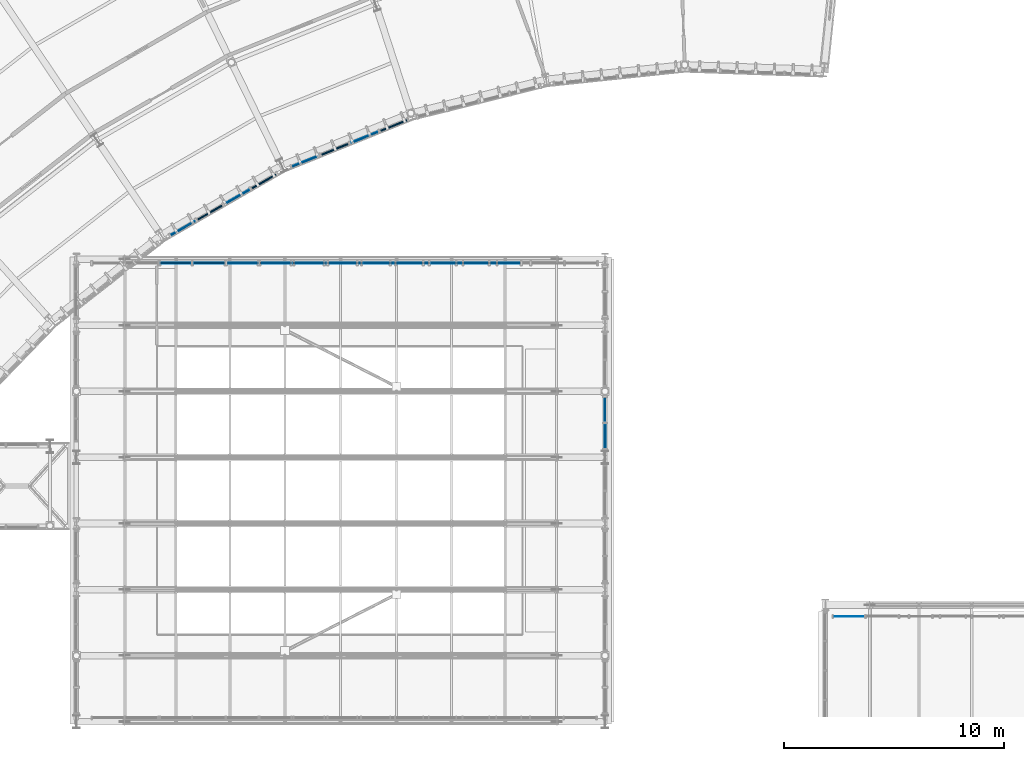
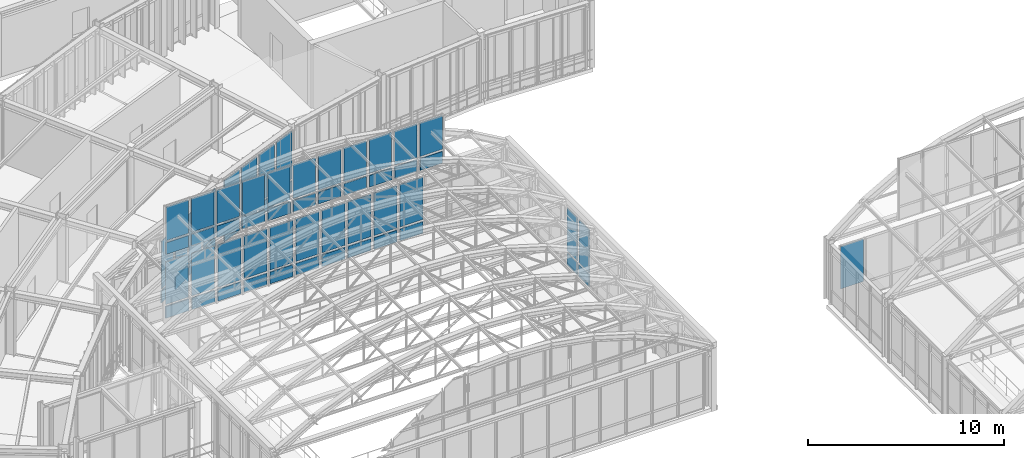
# One storey, part 100 of 148: 63 plates, 6 elements without a shape of their own.
"""IFC4 building model written with IfcOpenShell, lengths in metres."""

from ifc_helpers import new_model, si_unit, direction, frame, origin, origin_2d, place, context, subcontext, project, spatial, rectangle, extrude, material, layer, layer_set, type_object, element, aggregate, save


model = new_model("IFC4")

# Units and contexts
model_context = context("Model", 3, precision=1e-05, world=origin(), true_north=direction((0.0, 1.0)))
body_context = subcontext(model_context, "Body", "Model", "MODEL_VIEW")
ifc_project = project(units=[si_unit("LENGTHUNIT", "METRE"), si_unit("AREAUNIT", "SQUARE_METRE"), si_unit("VOLUMEUNIT", "CUBIC_METRE"), si_unit("PLANEANGLEUNIT", "RADIAN"), si_unit("MASSUNIT", "GRAM", prefix="KILO"), si_unit("THERMODYNAMICTEMPERATUREUNIT", "KELVIN"), si_unit("POWERUNIT", "WATT")], contexts=[model_context])

# Site, building, storey
site_placement = place(None, origin())
site = spatial("IfcSite", under=ifc_project, at=site_placement, CompositionType="ELEMENT")
building_placement = place(site_placement, origin())
building = spatial("IfcBuilding", under=site, at=building_placement, Name="Solvatero Civic Police Headquarters", CompositionType="ELEMENT")
storey_placement = place(building_placement, frame((0.0, 0.0, 5.10009765625)))
storey = spatial("IfcBuildingStorey", under=building, at=storey_placement, Name="L01", CompositionType="ELEMENT", Elevation=5.10009765625)

# Curtain wall, plates
ifc_material_1 = material(Name="Anodized Bronze Aluminium", Category="aluminium")
ifc_layer_1 = layer(ifc_material_1, 0.179931640625)
ifc_layer_set_1 = layer_set([ifc_layer_1], Name="Anodized Bronze Aluminium")
curtain_wall_type_1 = type_object("IfcCurtainWallType", Name="CW-ARC-IN", PredefinedType="USERDEFINED", material=ifc_layer_set_1)
curtain_wall_1_placement = place(storey_placement, origin())
curtain_wall_1 = element("IfcCurtainWall", 1, at=curtain_wall_1_placement, inside=storey, type_object=curtain_wall_type_1, Name="Curtain Wall CW-R2-L01-ARC-IN-B04", ObjectType="UNITISED", PredefinedType="USERDEFINED")
ifc_material_2 = material(Name="Triple Low-E Laminated Glass", Category="glass")
ifc_layer_2 = layer(ifc_material_2, 0.0380859375)
ifc_layer_set_2 = layer_set([ifc_layer_2], Name="Triple Low-E Laminated Glass")
plate_type_1 = type_object("IfcPlateType", Name="CWP-GLZ-38", PredefinedType="CURTAIN_PANEL", material=ifc_layer_set_2)
plate_1_placement = place(storey_placement, frame((77.873291015625, 68.029296875, 0.91015625), z_axis=(0.0, 0.0, 1.0), x_axis=(-0.927183854567, -0.374606593416, 0.0)))
plate_1 = element("IfcPlate", 2, at=plate_1_placement, type_object=plate_type_1, Name="CW-R2-L01-ARC-IN-B04 Vision Glazing 2", PredefinedType="CURTAIN_PANEL", context=body_context, shape_type="SweptSolid", body=[
    extrude(rectangle(XDim=1.26611328125, YDim=0.0380859375, at=origin_2d()), origin(), (0.0, 0.0, 1.0), 2.969970703125),
])
plate_2_placement = place(storey_placement, frame((75.191650390625, 66.94580078125, 0.91015625), z_axis=(0.0, 0.0, 1.0), x_axis=(-0.927183854567, -0.374606593416, 0.0)))
plate_2 = element("IfcPlate", 3, at=plate_2_placement, type_object=plate_type_1, Name="CW-R2-L01-ARC-IN-B04 Vision Glazing 4", PredefinedType="CURTAIN_PANEL", context=body_context, shape_type="SweptSolid", body=[
    extrude(rectangle(XDim=1.26611328125, YDim=0.0380859375, at=origin_2d()), origin(), (0.0, 0.0, 1.0), 2.969970703125),
])

curtain_wall_2_placement = place(storey_placement, origin())
curtain_wall_2 = element("IfcCurtainWall", 4, at=curtain_wall_2_placement, inside=storey, type_object=curtain_wall_type_1, Name="Curtain Wall CW-R2-L01-ARC-IN-B05", ObjectType="UNITISED", PredefinedType="USERDEFINED")
plate_3_placement = place(storey_placement, frame((72.093994140625, 65.32568359375, 0.91015625), z_axis=(0.0, 0.0, 1.0), x_axis=(-0.866025403784, -0.5, 0.0)))
plate_3 = element("IfcPlate", 5, at=plate_3_placement, type_object=plate_type_1, Name="CW-R2-L01-ARC-IN-B05 Vision Glazing 2", PredefinedType="CURTAIN_PANEL", context=body_context, shape_type="SweptSolid", body=[
    extrude(rectangle(XDim=1.2412109375, YDim=0.0380859375, at=origin_2d()), origin(), (0.0, 0.0, 1.0), 2.969970703125),
])
plate_4_placement = place(storey_placement, frame((69.63232421875, 63.904541015625, 0.91015625), z_axis=(0.0, 0.0, 1.0), x_axis=(-0.866025403784, -0.5, 0.0)))
plate_4 = element("IfcPlate", 6, at=plate_4_placement, type_object=plate_type_1, Name="CW-R2-L01-ARC-IN-B05 Vision Glazing 4", PredefinedType="CURTAIN_PANEL", context=body_context, shape_type="SweptSolid", body=[
    extrude(rectangle(XDim=1.2412109375, YDim=0.0380859375, at=origin_2d()), origin(), (0.0, 0.0, 1.0), 2.969970703125),
])

# Curtain wall, plate
ifc_layer_3 = layer(ifc_material_1, 0.179931640625)
ifc_layer_set_3 = layer_set([ifc_layer_3], Name="Anodized Bronze Aluminium")
curtain_wall_type_2 = type_object("IfcCurtainWallType", Name="CW-HAL-GLZ", PredefinedType="USERDEFINED", material=ifc_layer_set_3)
curtain_wall_3_placement = place(storey_placement, origin())
curtain_wall_3 = element("IfcCurtainWall", 7, at=curtain_wall_3_placement, inside=storey, type_object=curtain_wall_type_2, Name="Curtain Wall CW-R2-L01-V2-E-B5", ObjectType="UNITISED", PredefinedType="USERDEFINED")
plate_5_placement = place(storey_placement, frame((88.800048828125, 55.68359375, 0.909912109375), z_axis=(0.0, 0.0, 1.0), x_axis=(0.0, 1.0, 0.0)))
plate_5 = element("IfcPlate", 8, at=plate_5_placement, type_object=plate_type_1, Name="CW-R2-L01-V2-E-B5 Vision Glazing 2", PredefinedType="CURTAIN_PANEL", context=body_context, shape_type="SweptSolid", body=[
    extrude(rectangle(XDim=1.049072265625, YDim=0.0380859375, at=origin_2d()), origin(), (0.0, 0.0, 1.0), 2.68994140625),
])

# Curtain wall, plates
curtain_wall_4_placement = place(storey_placement, origin())
curtain_wall_4 = element("IfcCurtainWall", 9, at=curtain_wall_4_placement, inside=storey, type_object=curtain_wall_type_2, Name="Curtain Wall CW-R2-L01-V2-N", ObjectType="UNITISED", PredefinedType="USERDEFINED")
plate_6_placement = place(storey_placement, frame((70.83544921875, 62.320068359375, 0.909912109375), z_axis=(0.0, 0.0, 1.0), x_axis=(1.0, 0.0, 0.0)))
plate_6 = element("IfcPlate", 10, at=plate_6_placement, type_object=plate_type_1, Name="CW-R2-L01-V2-N Vision Glazing 4", PredefinedType="CURTAIN_PANEL", context=body_context, shape_type="SweptSolid", body=[
    extrude(rectangle(XDim=1.35595703125, YDim=0.0380859375, at=origin_2d()), origin(), (0.0, 0.0, 1.0), 2.64990234375),
])
plate_7_placement = place(storey_placement, frame((73.9072265625, 62.320068359375, 0.909912109375), z_axis=(0.0, 0.0, 1.0), x_axis=(1.0, 0.0, 0.0)))
plate_7 = element("IfcPlate", 11, at=plate_7_placement, type_object=plate_type_1, Name="CW-R2-L01-V2-N Vision Glazing 6", PredefinedType="CURTAIN_PANEL", context=body_context, shape_type="SweptSolid", body=[
    extrude(rectangle(XDim=1.35595703125, YDim=0.0380859375, at=origin_2d()), origin(), (0.0, 0.0, 1.0), 2.64990234375),
])
plate_8_placement = place(storey_placement, frame((76.97900390625, 62.320068359375, 0.909912109375), z_axis=(0.0, 0.0, 1.0), x_axis=(1.0, 0.0, 0.0)))
plate_8 = element("IfcPlate", 12, at=plate_8_placement, type_object=plate_type_1, Name="CW-R2-L01-V2-N Vision Glazing 8", PredefinedType="CURTAIN_PANEL", context=body_context, shape_type="SweptSolid", body=[
    extrude(rectangle(XDim=1.35595703125, YDim=0.0380859375, at=origin_2d()), origin(), (0.0, 0.0, 1.0), 2.64990234375),
])
plate_9_placement = place(storey_placement, frame((80.05078125, 62.320068359375, 0.909912109375), z_axis=(0.0, 0.0, 1.0), x_axis=(1.0, 0.0, 0.0)))
plate_9 = element("IfcPlate", 13, at=plate_9_placement, type_object=plate_type_1, Name="CW-R2-L01-V2-N Vision Glazing 10", PredefinedType="CURTAIN_PANEL", context=body_context, shape_type="SweptSolid", body=[
    extrude(rectangle(XDim=1.35595703125, YDim=0.0380859375, at=origin_2d()), origin(), (0.0, 0.0, 1.0), 2.64990234375),
])
plate_10_placement = place(storey_placement, frame((83.12255859375, 62.320068359375, 0.909912109375), z_axis=(0.0, 0.0, 1.0), x_axis=(1.0, 0.0, 0.0)))
plate_10 = element("IfcPlate", 14, at=plate_10_placement, type_object=plate_type_1, Name="CW-R2-L01-V2-N Vision Glazing 12", PredefinedType="CURTAIN_PANEL", context=body_context, shape_type="SweptSolid", body=[
    extrude(rectangle(XDim=1.35595703125, YDim=0.0380859375, at=origin_2d()), origin(), (0.0, 0.0, 1.0), 2.64990234375),
])

ifc_layer_4 = layer(ifc_material_1, 0.179931640625)
ifc_layer_set_4 = layer_set([ifc_layer_4], Name="Anodized Bronze Aluminium")
curtain_wall_type_3 = type_object("IfcCurtainWallType", Name="CW-VLT-TYMP", PredefinedType="USERDEFINED", material=ifc_layer_set_4)
curtain_wall_5_placement = place(storey_placement, origin())
curtain_wall_5 = element("IfcCurtainWall", 15, at=curtain_wall_5_placement, inside=storey, type_object=curtain_wall_type_3, Name="Curtain Wall CW-R2-L01-VLT2-N", ObjectType="UNITISED", PredefinedType="USERDEFINED")
plate_11_placement = place(storey_placement, frame((70.807373046875, 62.320068359375, 4.889892578125), z_axis=(0.0, 0.0, 1.0), x_axis=(1.0, 0.0, 0.0)))
plate_11 = element("IfcPlate", 16, at=plate_11_placement, type_object=plate_type_1, Name="CW-R2-L01-VLT2-N Vision Glazing 2", PredefinedType="CURTAIN_PANEL", context=body_context, shape_type="SweptSolid", body=[
    extrude(rectangle(XDim=1.318115234375, YDim=0.0380859375, at=origin_2d()), origin(), (0.0, 0.0, 1.0), 2.10009765625),
])
plate_12_placement = place(storey_placement, frame((73.8037109375, 62.320068359375, 4.889892578125), z_axis=(0.0, 0.0, 1.0), x_axis=(1.0, 0.0, 0.0)))
plate_12 = element("IfcPlate", 17, at=plate_12_placement, type_object=plate_type_1, Name="CW-R2-L01-VLT2-N Vision Glazing 4", PredefinedType="CURTAIN_PANEL", context=body_context, shape_type="SweptSolid", body=[
    extrude(rectangle(XDim=1.318115234375, YDim=0.0380859375, at=origin_2d()), origin(), (0.0, 0.0, 1.0), 2.10009765625),
])
plate_13_placement = place(storey_placement, frame((76.800048828125, 62.320068359375, 4.889892578125), z_axis=(0.0, 0.0, 1.0), x_axis=(1.0, 0.0, 0.0)))
plate_13 = element("IfcPlate", 18, at=plate_13_placement, type_object=plate_type_1, Name="CW-R2-L01-VLT2-N Vision Glazing 6", PredefinedType="CURTAIN_PANEL", context=body_context, shape_type="SweptSolid", body=[
    extrude(rectangle(XDim=1.318115234375, YDim=0.0380859375, at=origin_2d()), origin(), (0.0, 0.0, 1.0), 2.10009765625),
])
plate_14_placement = place(storey_placement, frame((79.79638671875, 62.320068359375, 4.889892578125), z_axis=(0.0, 0.0, 1.0), x_axis=(1.0, 0.0, 0.0)))
plate_14 = element("IfcPlate", 19, at=plate_14_placement, type_object=plate_type_1, Name="CW-R2-L01-VLT2-N Vision Glazing 8", PredefinedType="CURTAIN_PANEL", context=body_context, shape_type="SweptSolid", body=[
    extrude(rectangle(XDim=1.318115234375, YDim=0.0380859375, at=origin_2d()), origin(), (0.0, 0.0, 1.0), 2.10009765625),
])
plate_15_placement = place(storey_placement, frame((82.792724609375, 62.320068359375, 4.889892578125), z_axis=(0.0, 0.0, 1.0), x_axis=(1.0, 0.0, 0.0)))
plate_15 = element("IfcPlate", 20, at=plate_15_placement, type_object=plate_type_1, Name="CW-R2-L01-VLT2-N Vision Glazing 10", PredefinedType="CURTAIN_PANEL", context=body_context, shape_type="SweptSolid", body=[
    extrude(rectangle(XDim=1.318115234375, YDim=0.0380859375, at=origin_2d()), origin(), (0.0, 0.0, 1.0), 2.10009765625),
])

# Curtain wall, plate
curtain_wall_6_placement = place(storey_placement, origin())
curtain_wall_6 = element("IfcCurtainWall", 21, at=curtain_wall_6_placement, inside=storey, type_object=curtain_wall_type_2, Name="Curtain Wall CW-R2-L01-V1-N", ObjectType="UNITISED", PredefinedType="USERDEFINED")
plate_16_placement = place(storey_placement, frame((99.86181640625, 46.280029296875, 0.909912109375), z_axis=(0.0, 0.0, 1.0), x_axis=(1.0, 0.0, 0.0)))
plate_16 = element("IfcPlate", 22, at=plate_16_placement, type_object=plate_type_1, Name="CW-R2-L01-V1-N Vision Glazing 1", PredefinedType="CURTAIN_PANEL", context=body_context, shape_type="SweptSolid", body=[
    extrude(rectangle(XDim=1.339599609375, YDim=0.0380859375, at=origin_2d()), origin(), (0.0, 0.0, 1.0), 2.64990234375),
])
aggregate(curtain_wall_6, [plate_16])

# Plate
ifc_material_3 = material(Name="Acoustic Ballistic Laminated Glass", Category="glass")
ifc_layer_5 = layer(ifc_material_3, 0.0439453125)
ifc_layer_set_5 = layer_set([ifc_layer_5], Name="Acoustic Ballistic Laminated Glass")
plate_type_2 = type_object("IfcPlateType", Name="CWP-GLZ-44", PredefinedType="CURTAIN_PANEL", material=ifc_layer_set_5)
plate_17_placement = place(storey_placement, frame((79.21435546875, 68.5712890625, 0.91015625), z_axis=(0.0, 0.0, 1.0), x_axis=(-0.927183854567, -0.374606593416, 0.0)))
plate_17 = element("IfcPlate", 23, at=plate_17_placement, type_object=plate_type_2, Name="CW-R2-L01-ARC-IN-B04 Vision Glazing 1", PredefinedType="CURTAIN_PANEL", context=body_context, shape_type="SweptSolid", body=[
    extrude(rectangle(XDim=1.26611328125, YDim=0.0439453125, at=origin_2d()), origin(), (0.0, 0.0, 1.0), 2.969970703125),
])

plate_18_placement = place(storey_placement, frame((76.532470703125, 67.48779296875, 0.91015625), z_axis=(0.0, 0.0, 1.0), x_axis=(-0.927183854567, -0.374606593416, 0.0)))
plate_18 = element("IfcPlate", 24, at=plate_18_placement, type_object=plate_type_2, Name="CW-R2-L01-ARC-IN-B04 Vision Glazing 3", PredefinedType="CURTAIN_PANEL", context=body_context, shape_type="SweptSolid", body=[
    extrude(rectangle(XDim=1.26611328125, YDim=0.0439453125, at=origin_2d()), origin(), (0.0, 0.0, 1.0), 2.969970703125),
])

plate_19_placement = place(storey_placement, frame((73.32470703125, 66.036376953125, 0.91015625), z_axis=(0.0, 0.0, 1.0), x_axis=(-0.866025403784, -0.5, 0.0)))
plate_19 = element("IfcPlate", 25, at=plate_19_placement, type_object=plate_type_2, Name="CW-R2-L01-ARC-IN-B05 Vision Glazing 1", PredefinedType="CURTAIN_PANEL", context=body_context, shape_type="SweptSolid", body=[
    extrude(rectangle(XDim=1.2412109375, YDim=0.0439453125, at=origin_2d()), origin(), (0.0, 0.0, 1.0), 2.969970703125),
])

plate_20_placement = place(storey_placement, frame((70.863037109375, 64.615234375, 0.91015625), z_axis=(0.0, 0.0, 1.0), x_axis=(-0.866025403784, -0.5, 0.0)))
plate_20 = element("IfcPlate", 26, at=plate_20_placement, type_object=plate_type_2, Name="CW-R2-L01-ARC-IN-B05 Vision Glazing 3", PredefinedType="CURTAIN_PANEL", context=body_context, shape_type="SweptSolid", body=[
    extrude(rectangle(XDim=1.2412109375, YDim=0.0439453125, at=origin_2d()), origin(), (0.0, 0.0, 1.0), 2.969970703125),
])

plate_21_placement = place(storey_placement, frame((88.800048828125, 54.45458984375, 0.909912109375), z_axis=(0.0, 0.0, 1.0), x_axis=(0.0, 1.0, 0.0)))
plate_21 = element("IfcPlate", 27, at=plate_21_placement, type_object=plate_type_2, Name="CW-R2-L01-V2-E-B5 Vision Glazing 1", PredefinedType="CURTAIN_PANEL", context=body_context, shape_type="SweptSolid", body=[
    extrude(rectangle(XDim=1.049072265625, YDim=0.0439453125, at=origin_2d()), origin(), (0.0, 0.0, 1.0), 2.68994140625),
])

plate_22_placement = place(storey_placement, frame((69.2998046875, 62.320068359375, 0.909912109375), z_axis=(0.0, 0.0, 1.0), x_axis=(1.0, 0.0, 0.0)))
plate_22 = element("IfcPlate", 28, at=plate_22_placement, type_object=plate_type_2, Name="CW-R2-L01-V2-N Vision Glazing 3", PredefinedType="CURTAIN_PANEL", context=body_context, shape_type="SweptSolid", body=[
    extrude(rectangle(XDim=1.35595703125, YDim=0.0439453125, at=origin_2d()), origin(), (0.0, 0.0, 1.0), 2.64990234375),
])

plate_23_placement = place(storey_placement, frame((72.371337890625, 62.320068359375, 0.909912109375), z_axis=(0.0, 0.0, 1.0), x_axis=(1.0, 0.0, 0.0)))
plate_23 = element("IfcPlate", 29, at=plate_23_placement, type_object=plate_type_2, Name="CW-R2-L01-V2-N Vision Glazing 5", PredefinedType="CURTAIN_PANEL", context=body_context, shape_type="SweptSolid", body=[
    extrude(rectangle(XDim=1.35595703125, YDim=0.0439453125, at=origin_2d()), origin(), (0.0, 0.0, 1.0), 2.64990234375),
])

plate_24_placement = place(storey_placement, frame((75.443115234375, 62.320068359375, 0.909912109375), z_axis=(0.0, 0.0, 1.0), x_axis=(1.0, 0.0, 0.0)))
plate_24 = element("IfcPlate", 30, at=plate_24_placement, type_object=plate_type_2, Name="CW-R2-L01-V2-N Vision Glazing 7", PredefinedType="CURTAIN_PANEL", context=body_context, shape_type="SweptSolid", body=[
    extrude(rectangle(XDim=1.35595703125, YDim=0.0439453125, at=origin_2d()), origin(), (0.0, 0.0, 1.0), 2.64990234375),
])

plate_25_placement = place(storey_placement, frame((78.514892578125, 62.320068359375, 0.909912109375), z_axis=(0.0, 0.0, 1.0), x_axis=(1.0, 0.0, 0.0)))
plate_25 = element("IfcPlate", 31, at=plate_25_placement, type_object=plate_type_2, Name="CW-R2-L01-V2-N Vision Glazing 9", PredefinedType="CURTAIN_PANEL", context=body_context, shape_type="SweptSolid", body=[
    extrude(rectangle(XDim=1.35595703125, YDim=0.0439453125, at=origin_2d()), origin(), (0.0, 0.0, 1.0), 2.64990234375),
])

plate_26_placement = place(storey_placement, frame((81.586669921875, 62.320068359375, 0.909912109375), z_axis=(0.0, 0.0, 1.0), x_axis=(1.0, 0.0, 0.0)))
plate_26 = element("IfcPlate", 32, at=plate_26_placement, type_object=plate_type_2, Name="CW-R2-L01-V2-N Vision Glazing 11", PredefinedType="CURTAIN_PANEL", context=body_context, shape_type="SweptSolid", body=[
    extrude(rectangle(XDim=1.35595703125, YDim=0.0439453125, at=origin_2d()), origin(), (0.0, 0.0, 1.0), 2.64990234375),
])

plate_27_placement = place(storey_placement, frame((69.30908203125, 62.320068359375, 4.889892578125), z_axis=(0.0, 0.0, 1.0), x_axis=(1.0, 0.0, 0.0)))
plate_27 = element("IfcPlate", 33, at=plate_27_placement, type_object=plate_type_2, Name="CW-R2-L01-VLT2-N Vision Glazing 1", PredefinedType="CURTAIN_PANEL", context=body_context, shape_type="SweptSolid", body=[
    extrude(rectangle(XDim=1.318115234375, YDim=0.0439453125, at=origin_2d()), origin(), (0.0, 0.0, 1.0), 2.10009765625),
])

plate_28_placement = place(storey_placement, frame((72.305419921875, 62.320068359375, 4.889892578125), z_axis=(0.0, 0.0, 1.0), x_axis=(1.0, 0.0, 0.0)))
plate_28 = element("IfcPlate", 34, at=plate_28_placement, type_object=plate_type_2, Name="CW-R2-L01-VLT2-N Vision Glazing 3", PredefinedType="CURTAIN_PANEL", context=body_context, shape_type="SweptSolid", body=[
    extrude(rectangle(XDim=1.318115234375, YDim=0.0439453125, at=origin_2d()), origin(), (0.0, 0.0, 1.0), 2.10009765625),
])

plate_29_placement = place(storey_placement, frame((75.3017578125, 62.320068359375, 4.889892578125), z_axis=(0.0, 0.0, 1.0), x_axis=(1.0, 0.0, 0.0)))
plate_29 = element("IfcPlate", 35, at=plate_29_placement, type_object=plate_type_2, Name="CW-R2-L01-VLT2-N Vision Glazing 5", PredefinedType="CURTAIN_PANEL", context=body_context, shape_type="SweptSolid", body=[
    extrude(rectangle(XDim=1.318115234375, YDim=0.0439453125, at=origin_2d()), origin(), (0.0, 0.0, 1.0), 2.10009765625),
])

plate_30_placement = place(storey_placement, frame((78.298095703125, 62.320068359375, 4.889892578125), z_axis=(0.0, 0.0, 1.0), x_axis=(1.0, 0.0, 0.0)))
plate_30 = element("IfcPlate", 36, at=plate_30_placement, type_object=plate_type_2, Name="CW-R2-L01-VLT2-N Vision Glazing 7", PredefinedType="CURTAIN_PANEL", context=body_context, shape_type="SweptSolid", body=[
    extrude(rectangle(XDim=1.318115234375, YDim=0.0439453125, at=origin_2d()), origin(), (0.0, 0.0, 1.0), 2.10009765625),
])

plate_31_placement = place(storey_placement, frame((81.29443359375, 62.320068359375, 4.889892578125), z_axis=(0.0, 0.0, 1.0), x_axis=(1.0, 0.0, 0.0)))
plate_31 = element("IfcPlate", 37, at=plate_31_placement, type_object=plate_type_2, Name="CW-R2-L01-VLT2-N Vision Glazing 9", PredefinedType="CURTAIN_PANEL", context=body_context, shape_type="SweptSolid", body=[
    extrude(rectangle(XDim=1.318115234375, YDim=0.0439453125, at=origin_2d()), origin(), (0.0, 0.0, 1.0), 2.10009765625),
])

plate_32_placement = place(storey_placement, frame((84.291015625, 62.320068359375, 4.889892578125), z_axis=(0.0, 0.0, 1.0), x_axis=(1.0, 0.0, 0.0)))
plate_32 = element("IfcPlate", 38, at=plate_32_placement, type_object=plate_type_2, Name="CW-R2-L01-VLT2-N Vision Glazing 11", PredefinedType="CURTAIN_PANEL", context=body_context, shape_type="SweptSolid", body=[
    extrude(rectangle(XDim=1.318115234375, YDim=0.0439453125, at=origin_2d()), origin(), (0.0, 0.0, 1.0), 2.10009765625),
])

ifc_material_4 = material(Name="Insulated Bronze Aluminium Spandrel", Category="aluminium")
ifc_layer_6 = layer(ifc_material_4, 0.06005859375)
ifc_layer_set_6 = layer_set([ifc_layer_6], Name="Insulated Bronze Aluminium Spandrel")
plate_type_3 = type_object("IfcPlateType", Name="CWP-SPN-60", PredefinedType="CURTAIN_PANEL", material=ifc_layer_set_6)
plate_33_placement = place(storey_placement, frame((77.873291015625, 68.029296875, 0.059814453125), z_axis=(0.0, 0.0, 1.0), x_axis=(-0.927183854567, -0.374606593416, 0.0)))
plate_33 = element("IfcPlate", 39, at=plate_33_placement, type_object=plate_type_3, Name="CW-R2-L01-ARC-IN-B04 Spandrel Panel 2", PredefinedType="CURTAIN_PANEL", context=body_context, shape_type="SweptSolid", body=[
    extrude(rectangle(XDim=1.26611328125, YDim=0.06005859375, at=origin_2d()), origin(), (0.0, 0.0, 1.0), 0.72998046875),
])

plate_34_placement = place(storey_placement, frame((75.191650390625, 66.94580078125, 0.059814453125), z_axis=(0.0, 0.0, 1.0), x_axis=(-0.927183854567, -0.374606593416, 0.0)))
plate_34 = element("IfcPlate", 40, at=plate_34_placement, type_object=plate_type_3, Name="CW-R2-L01-ARC-IN-B04 Spandrel Panel 4", PredefinedType="CURTAIN_PANEL", context=body_context, shape_type="SweptSolid", body=[
    extrude(rectangle(XDim=1.26611328125, YDim=0.06005859375, at=origin_2d()), origin(), (0.0, 0.0, 1.0), 0.72998046875),
])

plate_35_placement = place(storey_placement, frame((72.093994140625, 65.32568359375, 0.059814453125), z_axis=(0.0, 0.0, 1.0), x_axis=(-0.866025403784, -0.5, 0.0)))
plate_35 = element("IfcPlate", 41, at=plate_35_placement, type_object=plate_type_3, Name="CW-R2-L01-ARC-IN-B05 Spandrel Panel 2", PredefinedType="CURTAIN_PANEL", context=body_context, shape_type="SweptSolid", body=[
    extrude(rectangle(XDim=1.2412109375, YDim=0.06005859375, at=origin_2d()), origin(), (0.0, 0.0, 1.0), 0.72998046875),
])

plate_36_placement = place(storey_placement, frame((69.63232421875, 63.904541015625, 0.059814453125), z_axis=(0.0, 0.0, 1.0), x_axis=(-0.866025403784, -0.5, 0.0)))
plate_36 = element("IfcPlate", 42, at=plate_36_placement, type_object=plate_type_3, Name="CW-R2-L01-ARC-IN-B05 Spandrel Panel 4", PredefinedType="CURTAIN_PANEL", context=body_context, shape_type="SweptSolid", body=[
    extrude(rectangle(XDim=1.2412109375, YDim=0.06005859375, at=origin_2d()), origin(), (0.0, 0.0, 1.0), 0.72998046875),
])

plate_37_placement = place(storey_placement, frame((88.800048828125, 55.68359375, 0.059814453125), z_axis=(0.0, 0.0, 1.0), x_axis=(0.0, 1.0, 0.0)))
plate_37 = element("IfcPlate", 43, at=plate_37_placement, type_object=plate_type_3, Name="CW-R2-L01-V2-E-B5 Spandrel Panel 2", PredefinedType="CURTAIN_PANEL", context=body_context, shape_type="SweptSolid", body=[
    extrude(rectangle(XDim=1.049072265625, YDim=0.06005859375, at=origin_2d()), origin(), (0.0, 0.0, 1.0), 0.72998046875),
])

plate_38_placement = place(storey_placement, frame((70.83544921875, 62.320068359375, 0.059814453125), z_axis=(0.0, 0.0, 1.0), x_axis=(1.0, 0.0, 0.0)))
plate_38 = element("IfcPlate", 44, at=plate_38_placement, type_object=plate_type_3, Name="CW-R2-L01-V2-N Spandrel Panel 4", PredefinedType="CURTAIN_PANEL", context=body_context, shape_type="SweptSolid", body=[
    extrude(rectangle(XDim=1.35595703125, YDim=0.06005859375, at=origin_2d()), origin(), (0.0, 0.0, 1.0), 0.72998046875),
])

plate_39_placement = place(storey_placement, frame((73.9072265625, 62.320068359375, 0.059814453125), z_axis=(0.0, 0.0, 1.0), x_axis=(1.0, 0.0, 0.0)))
plate_39 = element("IfcPlate", 45, at=plate_39_placement, type_object=plate_type_3, Name="CW-R2-L01-V2-N Spandrel Panel 6", PredefinedType="CURTAIN_PANEL", context=body_context, shape_type="SweptSolid", body=[
    extrude(rectangle(XDim=1.35595703125, YDim=0.06005859375, at=origin_2d()), origin(), (0.0, 0.0, 1.0), 0.72998046875),
])

plate_40_placement = place(storey_placement, frame((76.97900390625, 62.320068359375, 0.059814453125), z_axis=(0.0, 0.0, 1.0), x_axis=(1.0, 0.0, 0.0)))
plate_40 = element("IfcPlate", 46, at=plate_40_placement, type_object=plate_type_3, Name="CW-R2-L01-V2-N Spandrel Panel 8", PredefinedType="CURTAIN_PANEL", context=body_context, shape_type="SweptSolid", body=[
    extrude(rectangle(XDim=1.35595703125, YDim=0.06005859375, at=origin_2d()), origin(), (0.0, 0.0, 1.0), 0.72998046875),
])

plate_41_placement = place(storey_placement, frame((80.05078125, 62.320068359375, 0.059814453125), z_axis=(0.0, 0.0, 1.0), x_axis=(1.0, 0.0, 0.0)))
plate_41 = element("IfcPlate", 47, at=plate_41_placement, type_object=plate_type_3, Name="CW-R2-L01-V2-N Spandrel Panel 10", PredefinedType="CURTAIN_PANEL", context=body_context, shape_type="SweptSolid", body=[
    extrude(rectangle(XDim=1.35595703125, YDim=0.06005859375, at=origin_2d()), origin(), (0.0, 0.0, 1.0), 0.72998046875),
])

plate_42_placement = place(storey_placement, frame((83.12255859375, 62.320068359375, 0.059814453125), z_axis=(0.0, 0.0, 1.0), x_axis=(1.0, 0.0, 0.0)))
plate_42 = element("IfcPlate", 48, at=plate_42_placement, type_object=plate_type_3, Name="CW-R2-L01-V2-N Spandrel Panel 12", PredefinedType="CURTAIN_PANEL", context=body_context, shape_type="SweptSolid", body=[
    extrude(rectangle(XDim=1.35595703125, YDim=0.06005859375, at=origin_2d()), origin(), (0.0, 0.0, 1.0), 0.72998046875),
])

plate_43_placement = place(storey_placement, frame((70.807373046875, 62.320068359375, 4.039794921875), z_axis=(0.0, 0.0, 1.0), x_axis=(1.0, 0.0, 0.0)))
plate_43 = element("IfcPlate", 49, at=plate_43_placement, type_object=plate_type_3, Name="CW-R2-L01-VLT2-N Spandrel Panel 2", PredefinedType="CURTAIN_PANEL", context=body_context, shape_type="SweptSolid", body=[
    extrude(rectangle(XDim=1.318115234375, YDim=0.06005859375, at=origin_2d()), origin(), (0.0, 0.0, 1.0), 0.72998046875),
])

plate_44_placement = place(storey_placement, frame((73.8037109375, 62.320068359375, 4.039794921875), z_axis=(0.0, 0.0, 1.0), x_axis=(1.0, 0.0, 0.0)))
plate_44 = element("IfcPlate", 50, at=plate_44_placement, type_object=plate_type_3, Name="CW-R2-L01-VLT2-N Spandrel Panel 4", PredefinedType="CURTAIN_PANEL", context=body_context, shape_type="SweptSolid", body=[
    extrude(rectangle(XDim=1.318115234375, YDim=0.06005859375, at=origin_2d()), origin(), (0.0, 0.0, 1.0), 0.72998046875),
])

plate_45_placement = place(storey_placement, frame((76.800048828125, 62.320068359375, 4.039794921875), z_axis=(0.0, 0.0, 1.0), x_axis=(1.0, 0.0, 0.0)))
plate_45 = element("IfcPlate", 51, at=plate_45_placement, type_object=plate_type_3, Name="CW-R2-L01-VLT2-N Spandrel Panel 6", PredefinedType="CURTAIN_PANEL", context=body_context, shape_type="SweptSolid", body=[
    extrude(rectangle(XDim=1.318115234375, YDim=0.06005859375, at=origin_2d()), origin(), (0.0, 0.0, 1.0), 0.72998046875),
])

plate_46_placement = place(storey_placement, frame((79.79638671875, 62.320068359375, 4.039794921875), z_axis=(0.0, 0.0, 1.0), x_axis=(1.0, 0.0, 0.0)))
plate_46 = element("IfcPlate", 52, at=plate_46_placement, type_object=plate_type_3, Name="CW-R2-L01-VLT2-N Spandrel Panel 8", PredefinedType="CURTAIN_PANEL", context=body_context, shape_type="SweptSolid", body=[
    extrude(rectangle(XDim=1.318115234375, YDim=0.06005859375, at=origin_2d()), origin(), (0.0, 0.0, 1.0), 0.72998046875),
])

plate_47_placement = place(storey_placement, frame((82.792724609375, 62.320068359375, 4.039794921875), z_axis=(0.0, 0.0, 1.0), x_axis=(1.0, 0.0, 0.0)))
plate_47 = element("IfcPlate", 53, at=plate_47_placement, type_object=plate_type_3, Name="CW-R2-L01-VLT2-N Spandrel Panel 10", PredefinedType="CURTAIN_PANEL", context=body_context, shape_type="SweptSolid", body=[
    extrude(rectangle(XDim=1.318115234375, YDim=0.06005859375, at=origin_2d()), origin(), (0.0, 0.0, 1.0), 0.72998046875),
])

ifc_material_5 = material(Name="Limestone Veneer Spandrel Panel", Category="masonry")
ifc_layer_7 = layer(ifc_material_5, 0.074951171875)
ifc_layer_set_7 = layer_set([ifc_layer_7], Name="Limestone Veneer Spandrel Panel")
plate_type_4 = type_object("IfcPlateType", Name="CWP-SPN-75", PredefinedType="CURTAIN_PANEL", material=ifc_layer_set_7)
plate_48_placement = place(storey_placement, frame((79.21435546875, 68.5712890625, 0.059814453125), z_axis=(0.0, 0.0, 1.0), x_axis=(-0.927183854567, -0.374606593416, 0.0)))
plate_48 = element("IfcPlate", 54, at=plate_48_placement, type_object=plate_type_4, Name="CW-R2-L01-ARC-IN-B04 Spandrel Panel 1", PredefinedType="CURTAIN_PANEL", context=body_context, shape_type="SweptSolid", body=[
    extrude(rectangle(XDim=1.26611328125, YDim=0.074951171875, at=origin_2d()), origin(), (0.0, 0.0, 1.0), 0.72998046875),
])

plate_49_placement = place(storey_placement, frame((76.532470703125, 67.48779296875, 0.059814453125), z_axis=(0.0, 0.0, 1.0), x_axis=(-0.927183854567, -0.374606593416, 0.0)))
plate_49 = element("IfcPlate", 55, at=plate_49_placement, type_object=plate_type_4, Name="CW-R2-L01-ARC-IN-B04 Spandrel Panel 3", PredefinedType="CURTAIN_PANEL", context=body_context, shape_type="SweptSolid", body=[
    extrude(rectangle(XDim=1.26611328125, YDim=0.074951171875, at=origin_2d()), origin(), (0.0, 0.0, 1.0), 0.72998046875),
])

aggregate(curtain_wall_1, [plate_48, plate_17, plate_33, plate_1, plate_49, plate_18, plate_34, plate_2])

plate_50_placement = place(storey_placement, frame((73.32470703125, 66.036376953125, 0.059814453125), z_axis=(0.0, 0.0, 1.0), x_axis=(-0.866025403784, -0.5, 0.0)))
plate_50 = element("IfcPlate", 56, at=plate_50_placement, type_object=plate_type_4, Name="CW-R2-L01-ARC-IN-B05 Spandrel Panel 1", PredefinedType="CURTAIN_PANEL", context=body_context, shape_type="SweptSolid", body=[
    extrude(rectangle(XDim=1.2412109375, YDim=0.074951171875, at=origin_2d()), origin(), (0.0, 0.0, 1.0), 0.72998046875),
])

plate_51_placement = place(storey_placement, frame((70.863037109375, 64.615234375, 0.059814453125), z_axis=(0.0, 0.0, 1.0), x_axis=(-0.866025403784, -0.5, 0.0)))
plate_51 = element("IfcPlate", 57, at=plate_51_placement, type_object=plate_type_4, Name="CW-R2-L01-ARC-IN-B05 Spandrel Panel 3", PredefinedType="CURTAIN_PANEL", context=body_context, shape_type="SweptSolid", body=[
    extrude(rectangle(XDim=1.2412109375, YDim=0.074951171875, at=origin_2d()), origin(), (0.0, 0.0, 1.0), 0.72998046875),
])

aggregate(curtain_wall_2, [plate_50, plate_19, plate_35, plate_3, plate_51, plate_20, plate_36, plate_4])

plate_52_placement = place(storey_placement, frame((88.800048828125, 54.45458984375, 0.059814453125), z_axis=(0.0, 0.0, 1.0), x_axis=(0.0, 1.0, 0.0)))
plate_52 = element("IfcPlate", 58, at=plate_52_placement, type_object=plate_type_4, Name="CW-R2-L01-V2-E-B5 Spandrel Panel 1", PredefinedType="CURTAIN_PANEL", context=body_context, shape_type="SweptSolid", body=[
    extrude(rectangle(XDim=1.049072265625, YDim=0.074951171875, at=origin_2d()), origin(), (0.0, 0.0, 1.0), 0.72998046875),
])

aggregate(curtain_wall_3, [plate_52, plate_21, plate_37, plate_5])

plate_53_placement = place(storey_placement, frame((69.2998046875, 62.320068359375, 0.059814453125), z_axis=(0.0, 0.0, 1.0), x_axis=(1.0, 0.0, 0.0)))
plate_53 = element("IfcPlate", 59, at=plate_53_placement, type_object=plate_type_4, Name="CW-R2-L01-V2-N Spandrel Panel 3", PredefinedType="CURTAIN_PANEL", context=body_context, shape_type="SweptSolid", body=[
    extrude(rectangle(XDim=1.35595703125, YDim=0.074951171875, at=origin_2d()), origin(), (0.0, 0.0, 1.0), 0.72998046875),
])

plate_54_placement = place(storey_placement, frame((72.371337890625, 62.320068359375, 0.059814453125), z_axis=(0.0, 0.0, 1.0), x_axis=(1.0, 0.0, 0.0)))
plate_54 = element("IfcPlate", 60, at=plate_54_placement, type_object=plate_type_4, Name="CW-R2-L01-V2-N Spandrel Panel 5", PredefinedType="CURTAIN_PANEL", context=body_context, shape_type="SweptSolid", body=[
    extrude(rectangle(XDim=1.35595703125, YDim=0.074951171875, at=origin_2d()), origin(), (0.0, 0.0, 1.0), 0.72998046875),
])

plate_55_placement = place(storey_placement, frame((75.443115234375, 62.320068359375, 0.059814453125), z_axis=(0.0, 0.0, 1.0), x_axis=(1.0, 0.0, 0.0)))
plate_55 = element("IfcPlate", 61, at=plate_55_placement, type_object=plate_type_4, Name="CW-R2-L01-V2-N Spandrel Panel 7", PredefinedType="CURTAIN_PANEL", context=body_context, shape_type="SweptSolid", body=[
    extrude(rectangle(XDim=1.35595703125, YDim=0.074951171875, at=origin_2d()), origin(), (0.0, 0.0, 1.0), 0.72998046875),
])

plate_56_placement = place(storey_placement, frame((78.514892578125, 62.320068359375, 0.059814453125), z_axis=(0.0, 0.0, 1.0), x_axis=(1.0, 0.0, 0.0)))
plate_56 = element("IfcPlate", 62, at=plate_56_placement, type_object=plate_type_4, Name="CW-R2-L01-V2-N Spandrel Panel 9", PredefinedType="CURTAIN_PANEL", context=body_context, shape_type="SweptSolid", body=[
    extrude(rectangle(XDim=1.35595703125, YDim=0.074951171875, at=origin_2d()), origin(), (0.0, 0.0, 1.0), 0.72998046875),
])

plate_57_placement = place(storey_placement, frame((81.586669921875, 62.320068359375, 0.059814453125), z_axis=(0.0, 0.0, 1.0), x_axis=(1.0, 0.0, 0.0)))
plate_57 = element("IfcPlate", 63, at=plate_57_placement, type_object=plate_type_4, Name="CW-R2-L01-V2-N Spandrel Panel 11", PredefinedType="CURTAIN_PANEL", context=body_context, shape_type="SweptSolid", body=[
    extrude(rectangle(XDim=1.35595703125, YDim=0.074951171875, at=origin_2d()), origin(), (0.0, 0.0, 1.0), 0.72998046875),
])

aggregate(curtain_wall_4, [plate_53, plate_22, plate_38, plate_6, plate_54, plate_23, plate_39, plate_7, plate_55, plate_24, plate_40, plate_8, plate_56, plate_25, plate_41, plate_9, plate_57, plate_26, plate_42, plate_10])

plate_58_placement = place(storey_placement, frame((69.30908203125, 62.320068359375, 4.039794921875), z_axis=(0.0, 0.0, 1.0), x_axis=(1.0, 0.0, 0.0)))
plate_58 = element("IfcPlate", 64, at=plate_58_placement, type_object=plate_type_4, Name="CW-R2-L01-VLT2-N Spandrel Panel 1", PredefinedType="CURTAIN_PANEL", context=body_context, shape_type="SweptSolid", body=[
    extrude(rectangle(XDim=1.318115234375, YDim=0.074951171875, at=origin_2d()), origin(), (0.0, 0.0, 1.0), 0.72998046875),
])

plate_59_placement = place(storey_placement, frame((72.305419921875, 62.320068359375, 4.039794921875), z_axis=(0.0, 0.0, 1.0), x_axis=(1.0, 0.0, 0.0)))
plate_59 = element("IfcPlate", 65, at=plate_59_placement, type_object=plate_type_4, Name="CW-R2-L01-VLT2-N Spandrel Panel 3", PredefinedType="CURTAIN_PANEL", context=body_context, shape_type="SweptSolid", body=[
    extrude(rectangle(XDim=1.318115234375, YDim=0.074951171875, at=origin_2d()), origin(), (0.0, 0.0, 1.0), 0.72998046875),
])

plate_60_placement = place(storey_placement, frame((75.3017578125, 62.320068359375, 4.039794921875), z_axis=(0.0, 0.0, 1.0), x_axis=(1.0, 0.0, 0.0)))
plate_60 = element("IfcPlate", 66, at=plate_60_placement, type_object=plate_type_4, Name="CW-R2-L01-VLT2-N Spandrel Panel 5", PredefinedType="CURTAIN_PANEL", context=body_context, shape_type="SweptSolid", body=[
    extrude(rectangle(XDim=1.318115234375, YDim=0.074951171875, at=origin_2d()), origin(), (0.0, 0.0, 1.0), 0.72998046875),
])

plate_61_placement = place(storey_placement, frame((78.298095703125, 62.320068359375, 4.039794921875), z_axis=(0.0, 0.0, 1.0), x_axis=(1.0, 0.0, 0.0)))
plate_61 = element("IfcPlate", 67, at=plate_61_placement, type_object=plate_type_4, Name="CW-R2-L01-VLT2-N Spandrel Panel 7", PredefinedType="CURTAIN_PANEL", context=body_context, shape_type="SweptSolid", body=[
    extrude(rectangle(XDim=1.318115234375, YDim=0.074951171875, at=origin_2d()), origin(), (0.0, 0.0, 1.0), 0.72998046875),
])

plate_62_placement = place(storey_placement, frame((81.29443359375, 62.320068359375, 4.039794921875), z_axis=(0.0, 0.0, 1.0), x_axis=(1.0, 0.0, 0.0)))
plate_62 = element("IfcPlate", 68, at=plate_62_placement, type_object=plate_type_4, Name="CW-R2-L01-VLT2-N Spandrel Panel 9", PredefinedType="CURTAIN_PANEL", context=body_context, shape_type="SweptSolid", body=[
    extrude(rectangle(XDim=1.318115234375, YDim=0.074951171875, at=origin_2d()), origin(), (0.0, 0.0, 1.0), 0.72998046875),
])

plate_63_placement = place(storey_placement, frame((84.291015625, 62.320068359375, 4.039794921875), z_axis=(0.0, 0.0, 1.0), x_axis=(1.0, 0.0, 0.0)))
plate_63 = element("IfcPlate", 69, at=plate_63_placement, type_object=plate_type_4, Name="CW-R2-L01-VLT2-N Spandrel Panel 11", PredefinedType="CURTAIN_PANEL", context=body_context, shape_type="SweptSolid", body=[
    extrude(rectangle(XDim=1.318115234375, YDim=0.074951171875, at=origin_2d()), origin(), (0.0, 0.0, 1.0), 0.72998046875),
])

aggregate(curtain_wall_5, [plate_58, plate_27, plate_43, plate_11, plate_59, plate_28, plate_44, plate_12, plate_60, plate_29, plate_45, plate_13, plate_61, plate_30, plate_46, plate_14, plate_62, plate_31, plate_47, plate_15, plate_63, plate_32])

save(model, "model.ifc")
